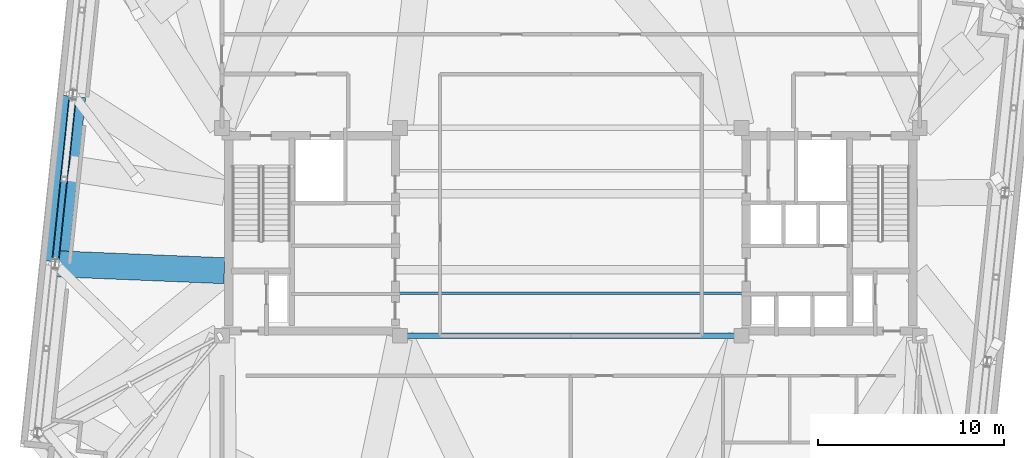
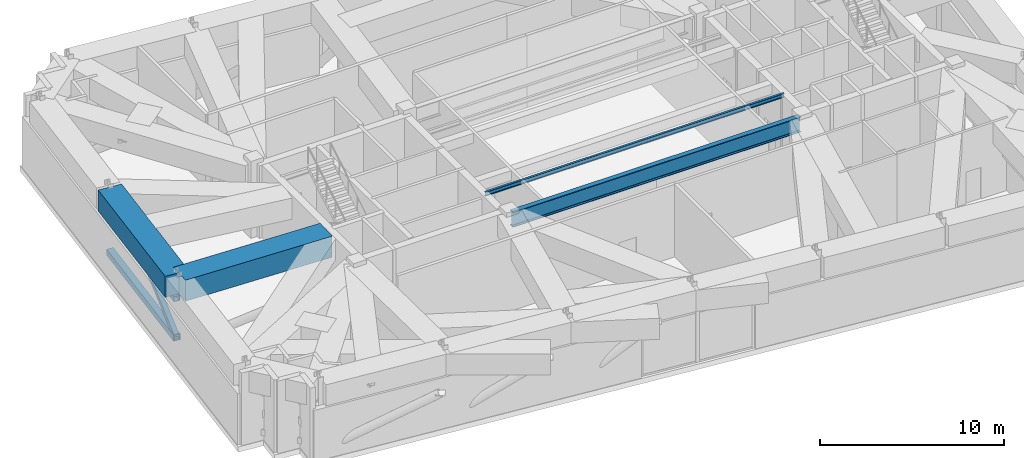
# One storey, part 6 of 21: 4 beams, 3 members.
"""IFC4 building model written with IfcOpenShell, lengths in metres."""

from ifc_helpers import new_model, si_unit, direction, frame, origin, origin_2d, place, context, subcontext, project, spatial, rectangle, hollow_rectangle, i_section, extrude, material, material_profile, profile_set, type_object, element, save


model = new_model("IFC4")

# Units and contexts
model_context = context("Model", 3, precision=1e-05, world=origin(), true_north=direction((0.0, 1.0)))
body_context = subcontext(model_context, "Body", "Model", "MODEL_VIEW")
ifc_project = project(units=[si_unit("LENGTHUNIT", "METRE"), si_unit("AREAUNIT", "SQUARE_METRE"), si_unit("VOLUMEUNIT", "CUBIC_METRE"), si_unit("PLANEANGLEUNIT", "RADIAN"), si_unit("MASSUNIT", "GRAM", prefix="KILO")], contexts=[model_context])

# Site, building, storey
site_placement = place(None, origin())
site = spatial("IfcSite", under=ifc_project, at=site_placement, CompositionType="ELEMENT")
building_placement = place(site_placement, origin())
building = spatial("IfcBuilding", under=site, at=building_placement, Name="Qobustan Lattice House", CompositionType="ELEMENT")
storey_placement = place(building_placement, frame((0.0, 0.0, 223.199951171875)))
storey = spatial("IfcBuildingStorey", under=building, at=storey_placement, Name="L63", CompositionType="ELEMENT", Elevation=223.199951171875)

# Beams
ifc_material_1 = material(Name="Steel S355", Category="steel")
ifc_material_profile_1 = material_profile(ifc_material_1, i_section(OverallWidth=0.135009765625, OverallDepth=0.27001953125, WebThickness=0.006591796875, FlangeThickness=0.01025390625, FilletRadius=0.014892578125, at=origin_2d()), Name="IPE270")
ifc_profile_set_1 = profile_set([ifc_material_profile_1], Name="Steel S355")
beam_type_1 = type_object("IfcBeamType", Name="BM-JST-IPE270", PredefinedType="JOIST", material=ifc_profile_set_1)
beam_1_placement = place(storey_placement, frame((-9.39990234375, -3.300048828125, 4.68505859375), z_axis=(1.0, 0.0, 0.0), x_axis=(0.0, 1.0, 0.0)))
element("IfcBeam", 1, at=beam_1_placement, inside=storey, type_object=beam_type_1, Name="L63 central span floor joist 1", PredefinedType="JOIST", context=body_context, shape_type="SweptSolid", body=[
    extrude(i_section(OverallWidth=0.135009765625, OverallDepth=0.27001953125, WebThickness=0.006591796875, FlangeThickness=0.01025390625, FilletRadius=0.014892578125, at=origin_2d()), origin(), (0.0, 0.0, 1.0), 18.7998046875),
])
ifc_material_2 = material(Name="Steel S355", Category="steel")
ifc_material_profile_2 = material_profile(ifc_material_2, i_section(OverallWidth=0.302001953125, OverallDepth=1.008056640625, WebThickness=0.02099609375, FlangeThickness=0.0400390625, FilletRadius=0.030029296875, at=origin_2d()), Name="HEM1000")
ifc_profile_set_2 = profile_set([ifc_material_profile_2], Name="Steel S355")
beam_type_2 = type_object("IfcBeamType", Name="BM-TRG-HEM1000", PredefinedType="USERDEFINED", material=ifc_profile_set_2)
beam_2_placement = place(storey_placement, frame((-9.050048828125, -5.60009765625, 4.316162109375), z_axis=(1.0, 0.0, 0.0), x_axis=(0.0, 1.0, 0.0)))
element("IfcBeam", 2, at=beam_2_placement, inside=storey, type_object=beam_type_2, Name="L63 core spine girder CG-CS", ObjectType="GIRDER", PredefinedType="USERDEFINED", context=body_context, shape_type="SweptSolid", body=[
    extrude(i_section(OverallWidth=0.302001953125, OverallDepth=1.008056640625, WebThickness=0.02099609375, FlangeThickness=0.0400390625, FilletRadius=0.030029296875, at=origin_2d()), origin(), (0.0, 0.0, 1.0), 18.10009765625),
])
ifc_material_3 = material(Name="Concrete C60/75", Category="concrete")
ifc_material_profile_3 = material_profile(ifc_material_3, rectangle(XDim=1.39990234375, YDim=1.39990234375, at=origin_2d()), Name="RC1400x1400")
ifc_profile_set_3 = profile_set([ifc_material_profile_3], Name="Concrete C60/75")
beam_type_3 = type_object("IfcBeamType", Name="BM-TRG-RC1400", PredefinedType="USERDEFINED", material=ifc_profile_set_3)
beam_3_placement = place(storey_placement, frame((-26.843017578125, 7.298095703125, 4.1201171875), z_axis=(-0.10452745884, -0.994522000937, 0.0), x_axis=(0.994522000937, -0.10452745884, 0.0)))
element("IfcBeam", 3, at=beam_3_placement, inside=storey, type_object=beam_type_3, Name="L63 TT4 lower perimeter transfer girder W2-W3", ObjectType="GIRDER", PredefinedType="USERDEFINED", context=body_context, shape_type="SweptSolid", body=[
    extrude(rectangle(XDim=1.39990234375, YDim=1.39990234375, at=origin_2d()), origin(), (0.0, 0.0, 1.0), 8.966552734375),
])
beam_4_placement = place(storey_placement, frame((-18.669921875, -2.09521484375, 4.1201171875), z_axis=(-0.999150085321, 0.041220225664, 0.0), x_axis=(-0.041220225664, -0.999150085321, 0.0)))
element("IfcBeam", 4, at=beam_4_placement, inside=storey, type_object=beam_type_3, Name="L63 TT4 radial transfer girder W3", ObjectType="GIRDER", PredefinedType="USERDEFINED", context=body_context, shape_type="SweptSolid", body=[
    extrude(rectangle(XDim=1.39990234375, YDim=1.39990234375, at=origin_2d()), origin(), (0.0, 0.0, 1.0), 9.008544921875),
])

# Members
ifc_material_4 = material(Name="Steel S355", Category="steel")
ifc_material_profile_4 = material_profile(ifc_material_4, hollow_rectangle(XDim=0.300048828125, YDim=0.300048828125, WallThickness=0.01611328125, at=origin_2d()), Name="SHS300x300x16")
ifc_profile_set_4 = profile_set([ifc_material_profile_4], Name="Steel S355")
member_type_1 = type_object("IfcMemberType", Name="MEM-BRC-SHS300", PredefinedType="BRACE", material=ifc_profile_set_4)
member_1_placement = place(storey_placement, frame((-27.311767578125, 2.83935546875, 3.14013671875), z_axis=(-0.090485593146, -0.861145590216, -0.500240572009), x_axis=(0.994524831041, -0.104500528433, 0.0)))
element("IfcMember", 5, at=member_1_placement, inside=storey, type_object=member_type_1, Name="L63 TT4 belt truss web diagonal W2-W3 B", PredefinedType="BRACE", context=body_context, shape_type="SweptSolid", body=[
    extrude(hollow_rectangle(XDim=0.300048828125, YDim=0.300048828125, WallThickness=0.01611328125, at=origin_2d()), origin(), (0.0, 0.0, 1.0), 5.177734375),
])
ifc_material_5 = material(Name="Steel S355", Category="steel")
ifc_material_profile_5 = material_profile(ifc_material_5, hollow_rectangle(XDim=0.35009765625, YDim=0.35009765625, WallThickness=0.01611328125, at=origin_2d()), Name="SHS350x350x16")
ifc_profile_set_5 = profile_set([ifc_material_profile_5], Name="Steel S355")
member_type_2 = type_object("IfcMemberType", Name="MEM-CHD-SHS350", PredefinedType="CHORD", material=ifc_profile_set_5)
member_2_placement = place(storey_placement, frame((-26.843017578125, 7.298095703125, 3.14013671875), z_axis=(-0.10452745884, -0.994522000937, 0.0), x_axis=(0.994522000937, -0.10452745884, 0.0)))
element("IfcMember", 6, at=member_2_placement, inside=storey, type_object=member_type_2, Name="L63 TT4 belt truss top chord W2-W3", PredefinedType="CHORD", context=body_context, shape_type="SweptSolid", body=[
    extrude(hollow_rectangle(XDim=0.35009765625, YDim=0.35009765625, WallThickness=0.01611328125, at=origin_2d()), origin(), (0.0, 0.0, 1.0), 8.966552734375),
])
ifc_material_6 = material(Name="Steel S355", Category="steel")
ifc_material_profile_6 = material_profile(ifc_material_6, hollow_rectangle(XDim=0.39990234375, YDim=0.39990234375, WallThickness=0.02001953125, at=origin_2d()), Name="SHS400x400x20")
ifc_profile_set_6 = profile_set([ifc_material_profile_6], Name="Steel S355")
member_type_3 = type_object("IfcMemberType", Name="MEM-CHD-SHS400", PredefinedType="CHORD", material=ifc_profile_set_6)
member_3_placement = place(storey_placement, frame((-26.843017578125, 7.298095703125, 0.550048828125), z_axis=(-0.10452745884, -0.994522000937, 0.0), x_axis=(0.994522000937, -0.10452745884, 0.0)))
element("IfcMember", 7, at=member_3_placement, inside=storey, type_object=member_type_3, Name="L63 TT4 belt truss bottom chord W2-W3", PredefinedType="CHORD", context=body_context, shape_type="SweptSolid", body=[
    extrude(hollow_rectangle(XDim=0.39990234375, YDim=0.39990234375, WallThickness=0.02001953125, at=origin_2d()), origin(), (0.0, 0.0, 1.0), 8.966552734375),
])

save(model, "model.ifc")
